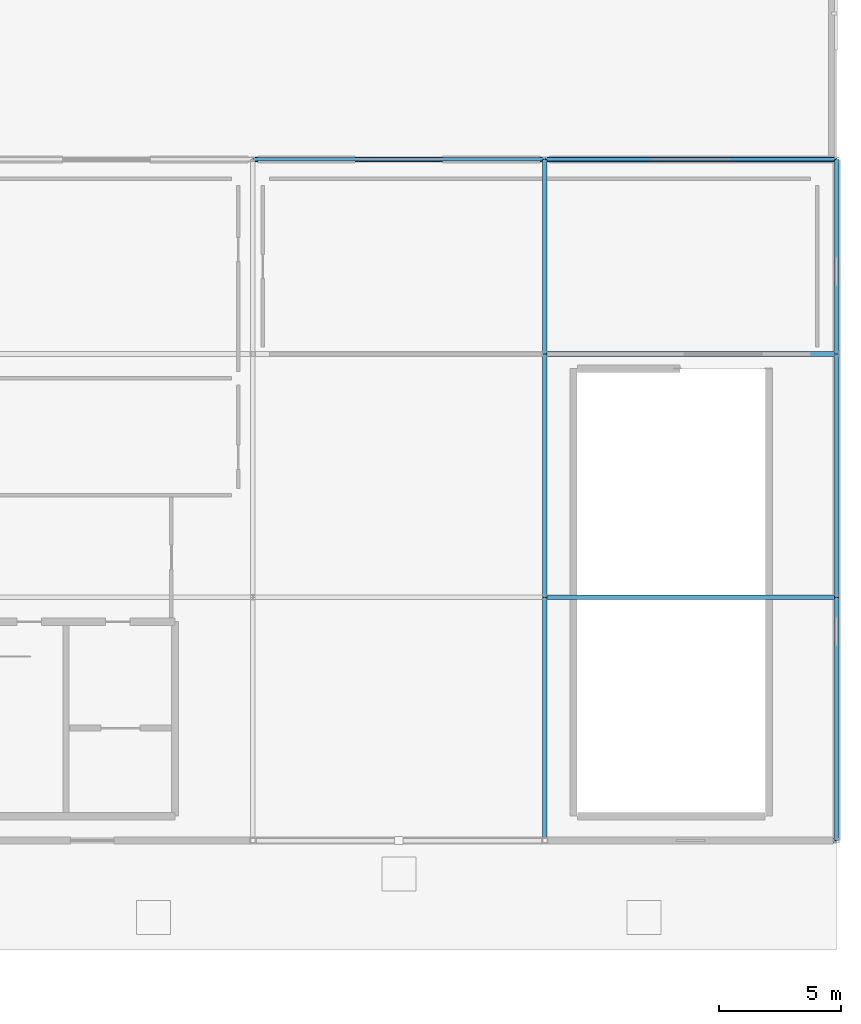
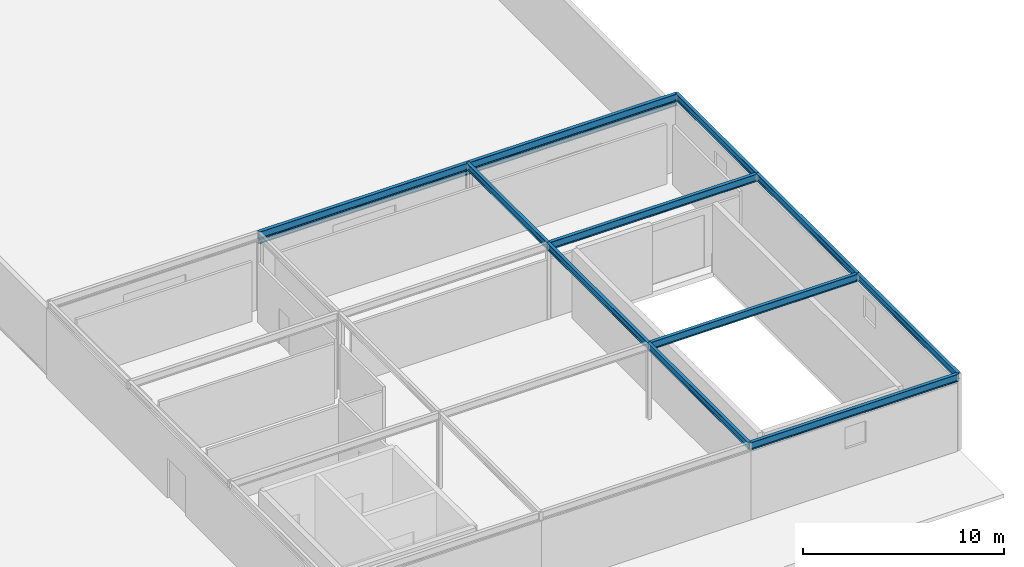
# One storey, part 70 of 119: 13 beams.
"""IFC4 building model written with IfcOpenShell, lengths in metres."""

from ifc_helpers import new_model, si_unit, derived_unit, direction, frame, origin, origin_2d_with_axis, place, context, subcontext, project, spatial, i_section, extrude, material, material_profile, profile_set, type_object, element, save


model = new_model("IFC4")

# Units and contexts
model_context = context("Model", 3, precision=1e-05, world=origin(), true_north=direction((0.0, 1.0)))
body_context = subcontext(model_context, "Body", "Model", "MODEL_VIEW")
ifc_project = project(units=[si_unit("LENGTHUNIT", "METRE"), si_unit("AREAUNIT", "SQUARE_METRE"), si_unit("VOLUMEUNIT", "CUBIC_METRE"), si_unit("PLANEANGLEUNIT", "RADIAN"), si_unit("MASSUNIT", "GRAM", prefix="KILO"), derived_unit("THERMALTRANSMITTANCEUNIT", [(si_unit("POWERUNIT", "WATT"), 1), (si_unit("LENGTHUNIT", "METRE"), -2), (si_unit("THERMODYNAMICTEMPERATUREUNIT", "KELVIN"), -1)])], contexts=[model_context])

# Site, building, storey
site_placement = place(None, origin())
site = spatial("IfcSite", under=ifc_project, at=site_placement, CompositionType="ELEMENT")
building_placement = place(site_placement, origin())
building = spatial("IfcBuilding", under=site, at=building_placement, Name="Cinnabar Yard Market Hall", CompositionType="ELEMENT")
storey_placement = place(building_placement, origin())
storey = spatial("IfcBuildingStorey", under=building, at=storey_placement, Name="L00", CompositionType="ELEMENT", Elevation=0.0)

# Beams
ifc_material = material(Name="Steel Grade 300 (300 MPa)", Category="steel")
ifc_material_profile_1 = material_profile(ifc_material, i_section(OverallWidth=0.18994140625, OverallDepth=0.453857421875, WebThickness=0.008544921875, FlangeThickness=0.0126953125, FilletRadius=0.011474609375, at=origin_2d_with_axis()), Name="460UB67.1")
ifc_profile_set_1 = profile_set([ifc_material_profile_1], Name="Steel Grade 300 (300 MPa)")
beam_type_1 = type_object("IfcBeamType", Name="BM-B05", PredefinedType="BEAM", material=ifc_profile_set_1)
for number, where, z_axis, x_axis, name in (
    (1, (202.0, 24.0, 4.403076171875), (1.0, 0.0, 0.0), (0.0, 1.0, 0.0), "V4 Dock Roof Girder X 01516"),
    (2, (202.0, 34.0, 4.403076171875), (1.0, 0.0, 0.0), (0.0, 1.0, 0.0), "V4 Dock Roof Girder X 01517"),
):
    element("IfcBeam", number, at=place(storey_placement, frame(where, z_axis=z_axis, x_axis=x_axis)), inside=storey, type_object=beam_type_1, Name=name, PredefinedType="BEAM", context=body_context, shape_type="SweptSolid", body=[
        extrude(i_section(OverallWidth=0.18994140625, OverallDepth=0.453857421875, WebThickness=0.008544921875, FlangeThickness=0.0126953125, FilletRadius=0.011474609375, at=origin_2d_with_axis()), origin(), (0.0, 0.0, 1.0), 12.0),
    ])
ifc_material_profile_2 = material_profile(ifc_material, i_section(OverallWidth=0.18994140625, OverallDepth=0.453857421875, WebThickness=0.008544921875, FlangeThickness=0.0126953125, FilletRadius=0.011474609375, at=origin_2d_with_axis()), Name="460UB67.1")
ifc_profile_set_2 = profile_set([ifc_material_profile_2], Name="Steel Grade 300 (300 MPa)")
beam_type_2 = type_object("IfcBeamType", Name="BM-B05E", PredefinedType="BEAM", material=ifc_profile_set_2)
for number, where, z_axis, x_axis, name in (
    (3, (190.0, 42.0, 4.403076171875), (1.0, 0.0, 0.0), (0.0, 1.0, 0.0), "V4 Dock Roof Girder X 01506"),
    (4, (202.0, 14.0, 4.403076171875), (1.0, 0.0, 0.0), (0.0, 1.0, 0.0), "V4 Dock Roof Girder X 01515"),
    (5, (202.0, 42.0, 4.403076171875), (1.0, 0.0, 0.0), (0.0, 1.0, 0.0), "V4 Dock Roof Girder X 01518"),
):
    element("IfcBeam", number, at=place(storey_placement, frame(where, z_axis=z_axis, x_axis=x_axis)), inside=storey, type_object=beam_type_2, Name=name, PredefinedType="BEAM", context=body_context, shape_type="SweptSolid", body=[
        extrude(i_section(OverallWidth=0.18994140625, OverallDepth=0.453857421875, WebThickness=0.008544921875, FlangeThickness=0.0126953125, FilletRadius=0.011474609375, at=origin_2d_with_axis()), origin(), (0.0, 0.0, 1.0), 12.0),
    ])
ifc_material_profile_3 = material_profile(ifc_material, i_section(OverallWidth=0.177978515625, OverallDepth=0.406494140625, WebThickness=0.0078125, FlangeThickness=0.0126953125, FilletRadius=0.011474609375, at=origin_2d_with_axis()), Name="410UB59.7")
ifc_profile_set_3 = profile_set([ifc_material_profile_3], Name="Steel Grade 300 (300 MPa)")
beam_type_3 = type_object("IfcBeamType", Name="BM-B06", PredefinedType="BEAM", material=ifc_profile_set_3)
for number, where, z_axis, x_axis, name in (
    (6, (202.0, 14.0, 4.4267578125), (0.0, 1.0, 0.0), (-1.0, 0.0, 0.0), "V4 Dock Roof Girder Y 01539"),
    (7, (202.0, 24.0, 4.4267578125), (0.0, 1.0, 0.0), (-1.0, 0.0, 0.0), "V4 Dock Roof Girder Y 01541"),
):
    element("IfcBeam", number, at=place(storey_placement, frame(where, z_axis=z_axis, x_axis=x_axis)), inside=storey, type_object=beam_type_3, Name=name, PredefinedType="BEAM", context=body_context, shape_type="SweptSolid", body=[
        extrude(i_section(OverallWidth=0.177978515625, OverallDepth=0.406494140625, WebThickness=0.0078125, FlangeThickness=0.0126953125, FilletRadius=0.011474609375, at=origin_2d_with_axis()), origin(), (0.0, 0.0, 1.0), 10.0),
    ])
beam_1_placement = place(storey_placement, frame((202.0, 34.0, 4.4267578125), z_axis=(0.0, 1.0, 0.0), x_axis=(-1.0, 0.0, 0.0)))
element("IfcBeam", 8, at=beam_1_placement, inside=storey, type_object=beam_type_3, Name="V4 Dock Roof Girder Y 01543", PredefinedType="BEAM", context=body_context, shape_type="SweptSolid", body=[
    extrude(i_section(OverallWidth=0.177978515625, OverallDepth=0.406494140625, WebThickness=0.0078125, FlangeThickness=0.0126953125, FilletRadius=0.011474609375, at=origin_2d_with_axis()), origin(), (0.0, 0.0, 1.0), 8.0),
])
ifc_material_profile_4 = material_profile(ifc_material, i_section(OverallWidth=0.177978515625, OverallDepth=0.406494140625, WebThickness=0.0078125, FlangeThickness=0.0126953125, FilletRadius=0.011474609375, at=origin_2d_with_axis()), Name="410UB59.7")
ifc_profile_set_4 = profile_set([ifc_material_profile_4], Name="Steel Grade 300 (300 MPa)")
beam_type_4 = type_object("IfcBeamType", Name="BM-B06E", PredefinedType="BEAM", material=ifc_profile_set_4)
for number, where, z_axis, x_axis, name in (
    (9, (214.0, 14.0, 4.4267578125), (0.0, 1.0, 0.0), (-1.0, 0.0, 0.0), "V4 Dock Roof Girder Y 01548"),
    (10, (214.0, 24.0, 4.4267578125), (0.0, 1.0, 0.0), (-1.0, 0.0, 0.0), "V4 Dock Roof Girder Y 01550"),
):
    element("IfcBeam", number, at=place(storey_placement, frame(where, z_axis=z_axis, x_axis=x_axis)), inside=storey, type_object=beam_type_4, Name=name, PredefinedType="BEAM", context=body_context, shape_type="SweptSolid", body=[
        extrude(i_section(OverallWidth=0.177978515625, OverallDepth=0.406494140625, WebThickness=0.0078125, FlangeThickness=0.0126953125, FilletRadius=0.011474609375, at=origin_2d_with_axis()), origin(), (0.0, 0.0, 1.0), 10.0),
    ])
beam_2_placement = place(storey_placement, frame((214.0, 34.0, 4.4267578125), z_axis=(0.0, 1.0, 0.0), x_axis=(-1.0, 0.0, 0.0)))
element("IfcBeam", 11, at=beam_2_placement, inside=storey, type_object=beam_type_4, Name="V4 Dock Roof Girder Y 01552", PredefinedType="BEAM", context=body_context, shape_type="SweptSolid", body=[
    extrude(i_section(OverallWidth=0.177978515625, OverallDepth=0.406494140625, WebThickness=0.0078125, FlangeThickness=0.0126953125, FilletRadius=0.011474609375, at=origin_2d_with_axis()), origin(), (0.0, 0.0, 1.0), 8.0),
])
ifc_material_profile_5 = material_profile(ifc_material, i_section(OverallWidth=0.14599609375, OverallDepth=0.256103515625, WebThickness=0.00634765625, FlangeThickness=0.010986328125, FilletRadius=0.0087890625, at=origin_2d_with_axis()), Name="250UB37.3")
ifc_profile_set_5 = profile_set([ifc_material_profile_5], Name="Steel Grade 300 (300 MPa)")
beam_type_5 = type_object("IfcBeamType", Name="BM-LN02E", PredefinedType="LINTEL", material=ifc_profile_set_5)
for number, where, z_axis, x_axis, name in (
    (12, (190.0, 42.0, 4.02197265625), (1.0, 0.0, 0.0), (0.0, 1.0, 0.0), "Dock Portal Lintel 01507"),
    (13, (202.0, 42.0, 4.02197265625), (1.0, 0.0, 0.0), (0.0, 1.0, 0.0), "Dock Portal Lintel 01519"),
):
    element("IfcBeam", number, at=place(storey_placement, frame(where, z_axis=z_axis, x_axis=x_axis)), inside=storey, type_object=beam_type_5, Name=name, PredefinedType="LINTEL", context=body_context, shape_type="SweptSolid", body=[
        extrude(i_section(OverallWidth=0.14599609375, OverallDepth=0.256103515625, WebThickness=0.00634765625, FlangeThickness=0.010986328125, FilletRadius=0.0087890625, at=origin_2d_with_axis()), origin(), (0.0, 0.0, 1.0), 12.0),
    ])

save(model, "model.ifc")
